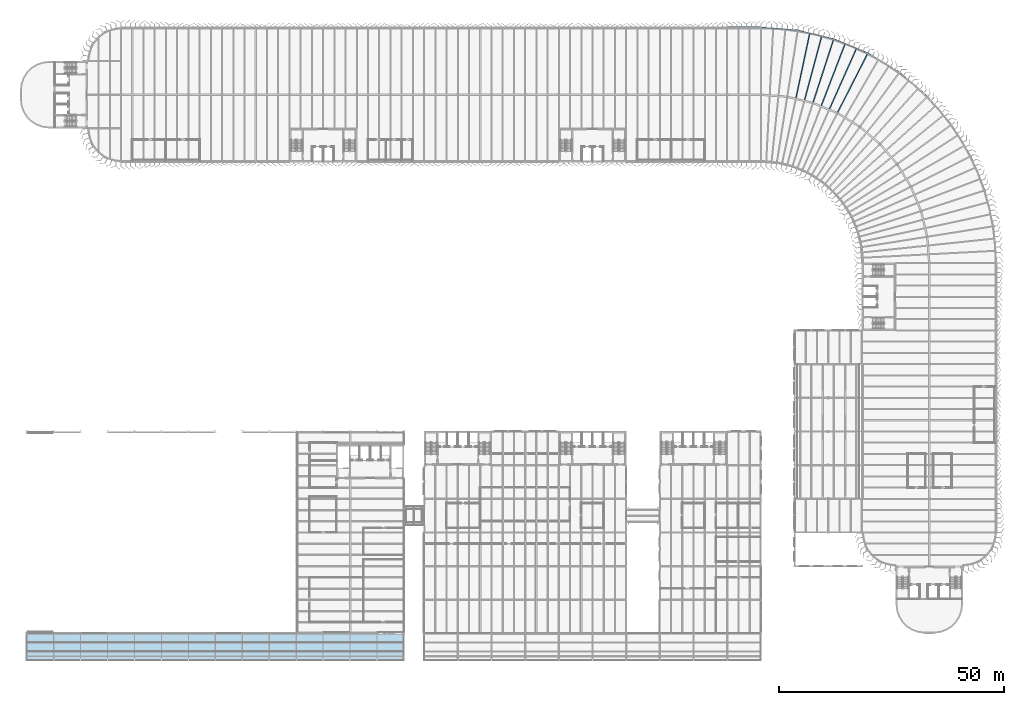
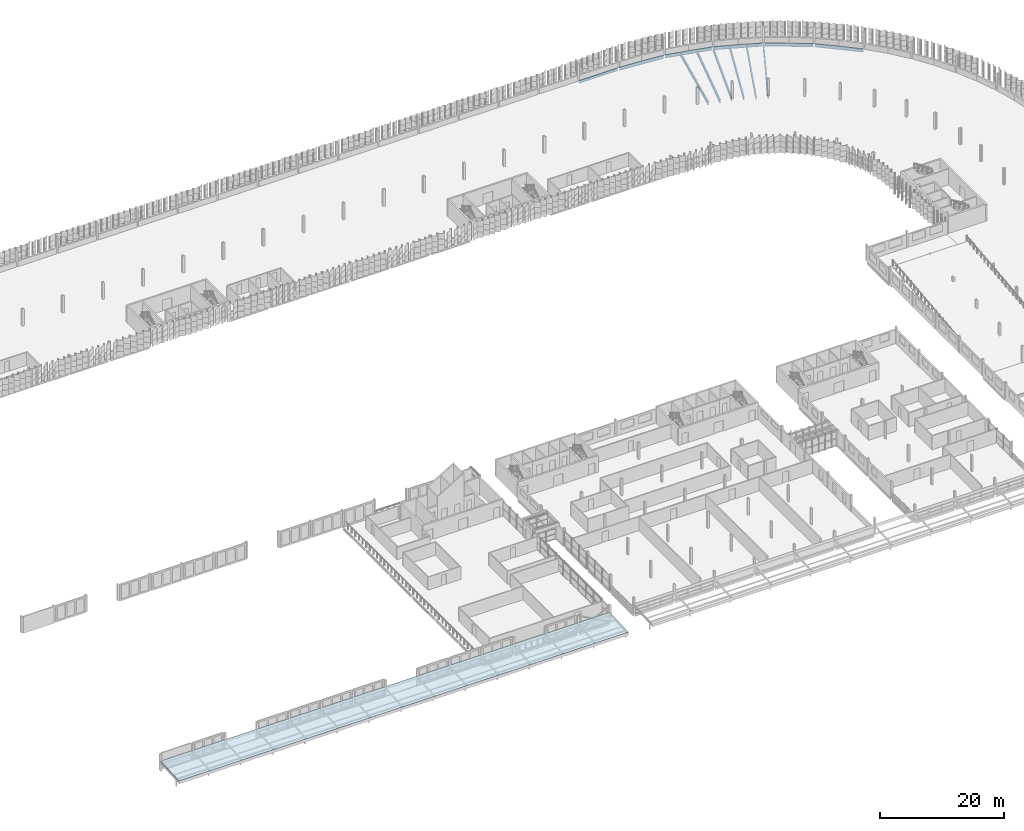
# One storey, part 56 of 214: 12 beams, 1 slab.
"""IFC4 building model written with IfcOpenShell, lengths in metres."""

from ifc_helpers import new_model, si_unit, direction, frame, origin, origin_2d, place, context, subcontext, project, spatial, polyline, i_section, outline, extrude, material, layer, layer_set, material_profile, profile_set, type_object, element, save


model = new_model("IFC4")

# Units and contexts
model_context = context("Model", 3, precision=1e-05, world=origin(), true_north=direction((0.0, 1.0)))
body_context = subcontext(model_context, "Body", "Model", "MODEL_VIEW")
ifc_project = project(units=[si_unit("LENGTHUNIT", "METRE"), si_unit("AREAUNIT", "SQUARE_METRE"), si_unit("VOLUMEUNIT", "CUBIC_METRE"), si_unit("PLANEANGLEUNIT", "RADIAN"), si_unit("MASSUNIT", "GRAM", prefix="KILO")], contexts=[model_context])

# Site, building, storey
site_placement = place(None, origin())
site = spatial("IfcSite", under=ifc_project, at=site_placement, CompositionType="ELEMENT")
building_placement = place(site_placement, origin())
building = spatial("IfcBuilding", under=site, at=building_placement, Name="Parallax Yard Mobility Hub", CompositionType="ELEMENT")
storey_placement = place(building_placement, frame((0.0, 0.0, 3.300048828125)))
storey = spatial("IfcBuildingStorey", under=building, at=storey_placement, Name="L01", CompositionType="ELEMENT", Elevation=3.300048828125)

# Beams
ifc_material_1 = material(Name="Steel ASTM A992", Category="steel")
ifc_material_profile_1 = material_profile(ifc_material_1, i_section(OverallWidth=0.208984375, OverallDepth=0.532958984375, WebThickness=0.01025390625, FlangeThickness=0.015625, FilletRadius=0.0126953125, at=origin_2d()), Name="W530x92")
ifc_profile_set_1 = profile_set([ifc_material_profile_1], Name="Steel ASTM A992")
beam_type_1 = type_object("IfcBeamType", Name="W530x92 edge beam", PredefinedType="SPANDREL", material=ifc_profile_set_1)
beam_1_placement = place(storey_placement, frame((165.153564453125, 142.5, -0.406494140625), z_axis=(1.0, 0.0, 0.0), x_axis=(0.0, 1.0, 0.0)))
element("IfcBeam", 1, at=beam_1_placement, inside=storey, type_object=beam_type_1, Name="Edge beam SB5 level L01, line V of ramped parking decks, span 19", PredefinedType="SPANDREL", context=body_context, shape_type="SweptSolid", body=[
    extrude(i_section(OverallWidth=0.208984375, OverallDepth=0.532958984375, WebThickness=0.01025390625, FlangeThickness=0.015625, FilletRadius=0.0126953125, at=origin_2d()), origin(), (0.0, 0.0, 1.0), 7.19287109375),
])
ifc_material_profile_2 = material_profile(ifc_material_1, i_section(OverallWidth=0.22802734375, OverallDepth=0.60205078125, WebThickness=0.010498046875, FlangeThickness=0.014892578125, FilletRadius=0.0126953125, at=origin_2d()), Name="W610x101")
ifc_profile_set_2 = profile_set([ifc_material_profile_2], Name="Steel ASTM A992")
beam_type_2 = type_object("IfcBeamType", Name="W610x101 secondary beam", PredefinedType="JOIST", material=ifc_profile_set_2)
for number, where, z_axis, x_axis, name in (
    (2, (180.30908203125, 126.739013671875, -0.441162109375), (0.207908276129, 0.978148326542, 0.0), (-0.978148326542, 0.207908276129, 0.0), "Secondary beam B3 level L01, radial at 12 degrees of ramped parking decks, span 2"),
    (3, (182.22119140625, 126.27978515625, -0.441162109375), (0.258824743814, 0.965924299306, 0.0), (-0.965924299306, 0.258824743814, 0.0), "Secondary beam B3 level L01, radial at 15 degrees of ramped parking decks, span 2"),
):
    element("IfcBeam", number, at=place(storey_placement, frame(where, z_axis=z_axis, x_axis=x_axis)), inside=storey, type_object=beam_type_2, Name=name, PredefinedType="JOIST", context=body_context, shape_type="SweptSolid", body=[
        extrude(i_section(OverallWidth=0.22802734375, OverallDepth=0.60205078125, WebThickness=0.010498046875, FlangeThickness=0.014892578125, FilletRadius=0.0126953125, at=origin_2d()), origin(), (0.0, 0.0, 1.0), 14.681884765625),
    ])
beam_2_placement = place(storey_placement, frame((185.960205078125, 125.065185546875, -0.441162109375), z_axis=(0.358369476341, 0.933579840414, 0.0), x_axis=(-0.933579840414, 0.358369476341, 0.0)))
element("IfcBeam", 4, at=beam_2_placement, inside=storey, type_object=beam_type_2, Name="Secondary beam B3 level L01, radial at 21 degrees of ramped parking decks, span 2", PredefinedType="JOIST", context=body_context, shape_type="SweptSolid", body=[
    extrude(i_section(OverallWidth=0.22802734375, OverallDepth=0.60205078125, WebThickness=0.010498046875, FlangeThickness=0.014892578125, FilletRadius=0.0126953125, at=origin_2d()), origin(), (0.0, 0.0, 1.0), 14.681640625),
])
beam_3_placement = place(storey_placement, frame((187.77685546875, 124.3125, -0.441162109375), z_axis=(0.406737010648, 0.913545293989, 0.0), x_axis=(-0.913545293989, 0.406737010648, 0.0)))
element("IfcBeam", 5, at=beam_3_placement, inside=storey, type_object=beam_type_2, Name="Secondary beam B3 level L01, radial at 24 degrees of ramped parking decks, span 2", PredefinedType="JOIST", context=body_context, shape_type="SweptSolid", body=[
    extrude(i_section(OverallWidth=0.22802734375, OverallDepth=0.60205078125, WebThickness=0.010498046875, FlangeThickness=0.014892578125, FilletRadius=0.0126953125, at=origin_2d()), origin(), (0.0, 0.0, 1.0), 14.681884765625),
])
ifc_material_profile_3 = material_profile(ifc_material_1, i_section(OverallWidth=0.22900390625, OverallDepth=0.612060546875, WebThickness=0.011962890625, FlangeThickness=0.01953125, FilletRadius=0.0126953125, at=origin_2d()), Name="W610x125")
ifc_profile_set_3 = profile_set([ifc_material_profile_3], Name="Steel ASTM A992")
beam_type_3 = type_object("IfcBeamType", Name="W610x125 edge beam", PredefinedType="SPANDREL", material=ifc_profile_set_3)
beam_4_placement = place(storey_placement, frame((172.653564453125, 142.48779296875, -0.446044921875), z_axis=(0.996918582571, -0.078443226125, 0.0), x_axis=(0.078443226125, 0.996918582571, 0.0)))
element("IfcBeam", 6, at=beam_4_placement, inside=storey, type_object=beam_type_3, Name="Edge beam SB7 level L01, ring RC of ramped parking decks, span 1", PredefinedType="SPANDREL", context=body_context, shape_type="SweptSolid", body=[
    extrude(i_section(OverallWidth=0.22900390625, OverallDepth=0.612060546875, WebThickness=0.011962890625, FlangeThickness=0.01953125, FilletRadius=0.0126953125, at=origin_2d()), origin(), (0.0, 0.0, 1.0), 7.93017578125),
])
beam_5_placement = place(storey_placement, frame((180.862548828125, 141.817626953125, -0.446044921875), z_axis=(0.972369134954, -0.23344863544, 0.0), x_axis=(0.23344863544, 0.972369134954, 0.0)))
element("IfcBeam", 7, at=beam_5_placement, inside=storey, type_object=beam_type_3, Name="Edge beam SB7 level L01, ring RC of ramped parking decks, span 2", PredefinedType="SPANDREL", context=body_context, shape_type="SweptSolid", body=[
    extrude(i_section(OverallWidth=0.22900390625, OverallDepth=0.612060546875, WebThickness=0.011962890625, FlangeThickness=0.01953125, FilletRadius=0.0126953125, at=origin_2d()), origin(), (0.0, 0.0, 1.0), 7.930419921875),
])
beam_6_placement = place(storey_placement, frame((188.86572265625, 139.87158203125, -0.446044921875), z_axis=(0.92387011476, -0.382706168036, 0.0), x_axis=(0.382706168036, 0.92387011476, 0.0)))
element("IfcBeam", 8, at=beam_6_placement, inside=storey, type_object=beam_type_3, Name="Edge beam SB7 level L01, ring RC of ramped parking decks, span 3", PredefinedType="SPANDREL", context=body_context, shape_type="SweptSolid", body=[
    extrude(i_section(OverallWidth=0.22900390625, OverallDepth=0.612060546875, WebThickness=0.011962890625, FlangeThickness=0.01953125, FilletRadius=0.0126953125, at=origin_2d()), origin(), (0.0, 0.0, 1.0), 7.93017578125),
])
beam_7_placement = place(storey_placement, frame((196.4658203125, 136.697265625, -0.446044921875), z_axis=(0.852647266658, -0.522486974633, 0.0), x_axis=(0.522486974633, 0.852647266658, 0.0)))
element("IfcBeam", 9, at=beam_7_placement, inside=storey, type_object=beam_type_3, Name="Edge beam SB7 level L01, ring RC of ramped parking decks, span 4", PredefinedType="SPANDREL", context=body_context, shape_type="SweptSolid", body=[
    extrude(i_section(OverallWidth=0.22900390625, OverallDepth=0.612060546875, WebThickness=0.011962890625, FlangeThickness=0.01953125, FilletRadius=0.0126953125, at=origin_2d()), origin(), (0.0, 0.0, 1.0), 7.929931640625),
])
beam_8_placement = place(storey_placement, frame((203.475830078125, 132.373291015625, -0.446044921875), z_axis=(0.760418020845, -0.649433933187, 0.0), x_axis=(0.649433933187, 0.760418020845, 0.0)))
element("IfcBeam", 10, at=beam_8_placement, inside=storey, type_object=beam_type_3, Name="Edge beam SB7 level L01, ring RC of ramped parking decks, span 5", PredefinedType="SPANDREL", context=body_context, shape_type="SweptSolid", body=[
    extrude(i_section(OverallWidth=0.22900390625, OverallDepth=0.612060546875, WebThickness=0.011962890625, FlangeThickness=0.01953125, FilletRadius=0.0126953125, at=origin_2d()), origin(), (0.0, 0.0, 1.0), 7.93017578125),
])
ifc_material_profile_4 = material_profile(ifc_material_1, i_section(OverallWidth=0.22900390625, OverallDepth=0.612060546875, WebThickness=0.011962890625, FlangeThickness=0.01953125, FilletRadius=0.0126953125, at=origin_2d()), Name="W610x125")
ifc_profile_set_4 = profile_set([ifc_material_profile_4], Name="Steel ASTM A992")
beam_type_4 = type_object("IfcBeamType", Name="W610x125 girder", PredefinedType="BEAM", material=ifc_profile_set_4)
beam_9_placement = place(storey_placement, frame((184.145751953125, 125.842041015625, -0.446044921875), z_axis=(0.309021655194, 0.951055001891, 0.0), x_axis=(-0.951055001891, 0.309021655194, 0.0)))
element("IfcBeam", 11, at=beam_9_placement, inside=storey, type_object=beam_type_4, Name="Girder G3 level L01, radial R2 of ramped parking decks, span 2", PredefinedType="BEAM", context=body_context, shape_type="SweptSolid", body=[
    extrude(i_section(OverallWidth=0.22900390625, OverallDepth=0.612060546875, WebThickness=0.011962890625, FlangeThickness=0.01953125, FilletRadius=0.0126953125, at=origin_2d()), origin(), (0.0, 0.0, 1.0), 14.654541015625),
])
beam_10_placement = place(storey_placement, frame((189.609375, 123.578857421875, -0.446044921875), z_axis=(0.453984678995, 0.891009489982, 0.0), x_axis=(-0.891009489982, 0.453984678995, 0.0)))
element("IfcBeam", 12, at=beam_10_placement, inside=storey, type_object=beam_type_4, Name="Girder G3 level L01, radial R3 of ramped parking decks, span 1", PredefinedType="BEAM", context=body_context, shape_type="SweptSolid", body=[
    extrude(i_section(OverallWidth=0.22900390625, OverallDepth=0.612060546875, WebThickness=0.011962890625, FlangeThickness=0.01953125, FilletRadius=0.0126953125, at=origin_2d()), origin(), (0.0, 0.0, 1.0), 14.654296875),
])

# Slab
ifc_material_2 = material(Name="Steel ASTM A653 Gr 50 deck with insulated sheet", Category="steel")
ifc_layer = layer(ifc_material_2, 0.1201171875)
ifc_layer_set = layer_set([ifc_layer], Name="Arcade roof plate")
slab_type = type_object("IfcSlabType", Name="Arcade roof plate", PredefinedType="ROOF", material=ifc_layer_set)
slab_placement = place(storey_placement, frame((9.0, 1.5, 1.58544921875), z_axis=(0.0, -0.049945724537, 0.998751933465), x_axis=(1.0, 0.0, 0.0)))
element("IfcSlab", 13, at=slab_placement, inside=storey, type_object=slab_type, Name="Roof plate arcade south front of the bus and taxi deck", PredefinedType="ROOF", context=body_context, shape_type="SweptSolid", body=[
    extrude(outline(polyline([(0.0, 0.0), (84.0, 0.0), (84.0, 6.007497756908378), (0.0, 6.007497756908378), (0.0, 0.0)])), origin(), (0.0, 0.0, -1.0), 0.1201171875),
])

save(model, "model.ifc")
